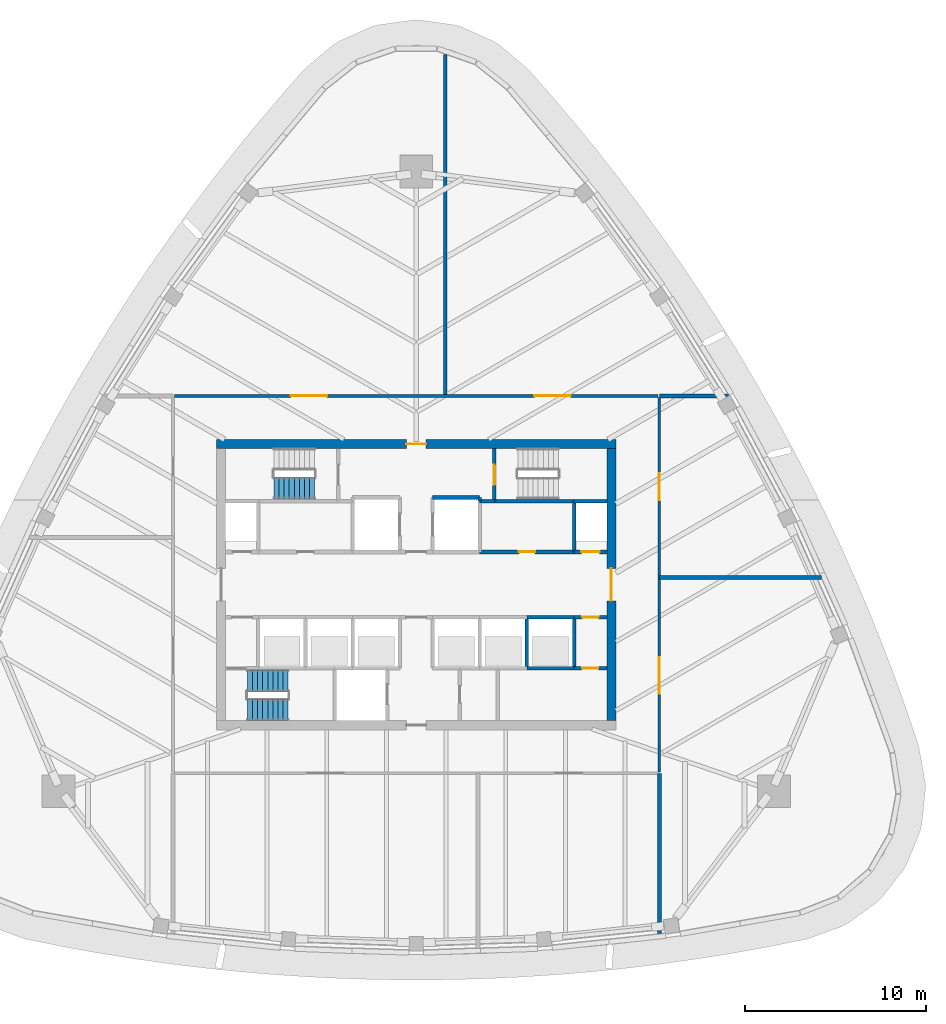
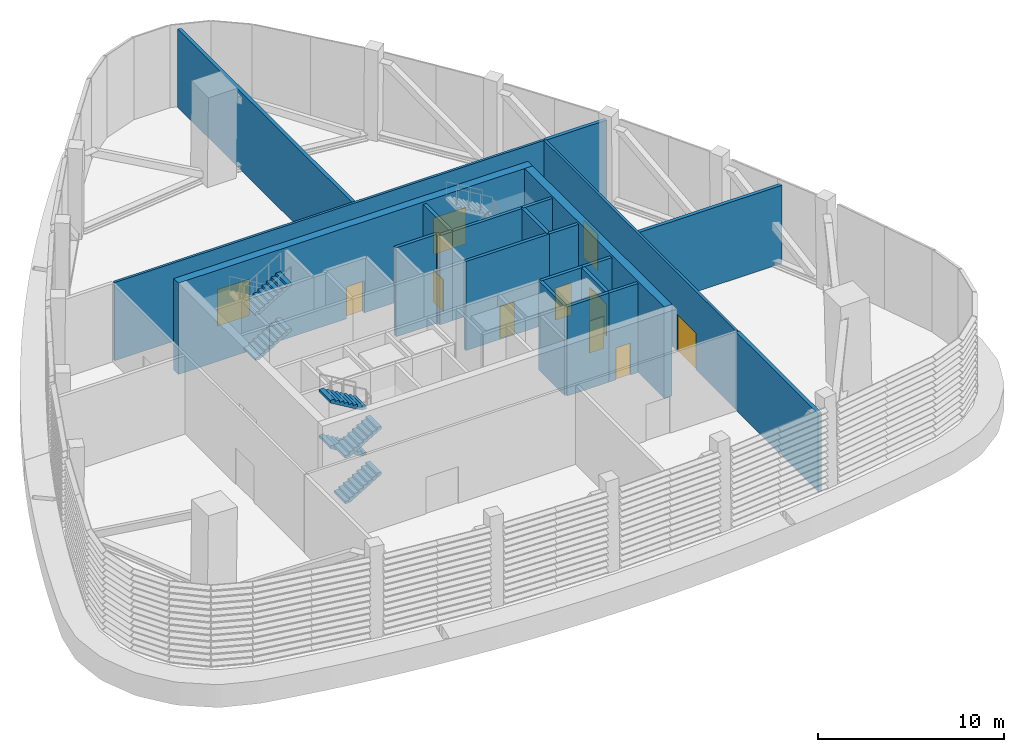
# One storey, part 5 of 15: 23 walls, 11 doors, 6 stair flights, 11 openings, 2 elements without a shape of their own.
"""IFC4 building model written with IfcOpenShell, lengths in metres."""

from ifc_helpers import new_model, si_unit, direction, frame, frame_2d, origin, place, context, subcontext, project, spatial, polyline, rectangle, outline, extrude, material, layer, layer_set, type_object, element, fill, aggregate, save


model = new_model("IFC4")

# Units and contexts
model_context = context("Model", 3, precision=1e-05, world=origin(), true_north=direction((0.0, 1.0)))
body_context = subcontext(model_context, "Body", "Model", "MODEL_VIEW")
ifc_project = project(units=[si_unit("LENGTHUNIT", "METRE"), si_unit("AREAUNIT", "SQUARE_METRE"), si_unit("VOLUMEUNIT", "CUBIC_METRE"), si_unit("PLANEANGLEUNIT", "RADIAN"), si_unit("MASSUNIT", "GRAM", prefix="KILO")], contexts=[model_context])

# Site, building, storey
site_placement = place(None, origin())
site = spatial("IfcSite", under=ifc_project, at=site_placement, CompositionType="ELEMENT")
building_placement = place(site_placement, origin())
building = spatial("IfcBuilding", under=site, at=building_placement, Name="Sierra Prisma Convention Tower", CompositionType="ELEMENT")
storey_placement = place(building_placement, frame((0.0, 0.0, 324.39990234375)))
storey = spatial("IfcBuildingStorey", under=building, at=storey_placement, Name="L74", CompositionType="ELEMENT", Elevation=324.39990234375)

# Walls
ifc_material_1 = material(Name="Concrete C30/37", Category="concrete")
ifc_layer_1 = layer(ifc_material_1, 0.199951171875)
ifc_layer_set_1 = layer_set([ifc_layer_1], Name="Core wall RC 200 C30/37")
wall_type_1 = type_object("IfcWallType", Name="Core wall RC 200 C30/37", PredefinedType="SOLIDWALL", material=ifc_layer_set_1)
wall_1_placement = place(storey_placement, frame((3.5, 4.60009765625, 0.0), z_axis=(0.0, 0.0, 1.0), x_axis=(0.0, 1.0, 0.0)))
element("IfcWall", 1, at=wall_1_placement, inside=storey, type_object=wall_type_1, Name="Core wall L74 35", PredefinedType="SOLIDWALL", context=body_context, shape_type="SweptSolid", body=[
    extrude(rectangle(XDim=0.199951171875, YDim=0.199951171875, at=frame_2d((0.10009765625, 0.0))), origin(), (0.0, 0.0, 1.0), 5.85009765625),
])
wall_2_placement = place(storey_placement, frame((3.5, 4.800048828125, 0.0), z_axis=(0.0, 0.0, 1.0), x_axis=(-1.0, 0.0, 0.0)))
element("IfcWall", 2, at=wall_2_placement, inside=storey, type_object=wall_type_1, Name="Core wall L74 36", PredefinedType="SOLIDWALL", context=body_context, shape_type="SweptSolid", body=[
    extrude(rectangle(XDim=2.60009765625, YDim=0.199951171875, at=frame_2d((1.300048828125, 0.0))), origin(), (0.0, 0.0, 1.0), 5.85009765625),
])

# Wall, opening, door
wall_3_placement = place(storey_placement, frame((3.5, 1.800048828125, 0.0), z_axis=(0.0, 0.0, 1.0), x_axis=(1.0, 0.0, 0.0)))
wall_3 = element("IfcWall", 3, at=wall_3_placement, inside=storey, type_object=wall_type_1, Name="Core wall L74 43", PredefinedType="SOLIDWALL", context=body_context, shape_type="SweptSolid", body=[
    extrude(rectangle(XDim=5.199951171875, YDim=0.199951171875, at=frame_2d((2.60009765625, 0.0))), origin(), (0.0, 0.0, 1.0), 5.85009765625),
])
opening_1_placement = place(wall_3_placement, frame((2.14990234375, 0.0, 0.0)))
opening_1 = element("IfcOpeningElement", 4, at=opening_1_placement, cuts=wall_3, Name="Opening L74-D012", PredefinedType="OPENING", context=body_context, shape_type="SweptSolid", body=[
    extrude(rectangle(XDim=0.89990234375, YDim=2.10009765625, at=frame_2d((0.449951171875, 1.050048828125))), frame((0.0, 0.10009765625, 0.0), z_axis=(0.0, -1.0, 0.0), x_axis=(1.0, 0.0, 0.0)), (0.0, 0.0, 1.0), 0.199951171875),
])
ifc_material_2 = material(Name="Steel fire door leaf", Category="steel")
door_type_1 = type_object("IfcDoorType", Name="Door 900x2100 FD30S", OperationType="SINGLE_SWING_LEFT", PredefinedType="DOOR", material=ifc_material_2)
door_1_placement = place(opening_1_placement, origin())
door_1 = element("IfcDoor", 5, at=door_1_placement, inside=storey, type_object=door_type_1, Name="Door L74 20", OperationType="SINGLE_SWING_LEFT", OverallHeight=2.10009765625, OverallWidth=0.89990234375, PredefinedType="DOOR", context=body_context, shape_type="SweptSolid", body=[
    extrude(rectangle(XDim=0.89990234375, YDim=2.10009765625, at=frame_2d((0.449951171875, 1.050048828125))), frame((0.0, 0.02490234375, 0.0), z_axis=(0.0, -1.0, 0.0), x_axis=(1.0, 0.0, 0.0)), (0.0, 0.0, 1.0), 0.050048828125),
])
fill(opening_1, door_1)

# Walls
wall_4_placement = place(storey_placement, frame((4.300048828125, 4.60009765625, 0.0), z_axis=(0.0, 0.0, 1.0), x_axis=(-1.0, 0.0, 0.0)))
element("IfcWall", 6, at=wall_4_placement, inside=storey, type_object=wall_type_1, Name="Core wall L74 45", PredefinedType="SOLIDWALL", context=body_context, shape_type="SweptSolid", body=[
    extrude(rectangle(XDim=0.800048828125, YDim=0.199951171875, at=frame_2d((0.39990234375, 0.0))), origin(), (0.0, 0.0, 1.0), 5.85009765625),
])
wall_5_placement = place(storey_placement, frame((8.699951171875, 4.60009765625, 0.0), z_axis=(0.0, 0.0, 1.0), x_axis=(-1.0, 0.0, 0.0)))
element("IfcWall", 7, at=wall_5_placement, inside=storey, type_object=wall_type_1, Name="Core wall L74 46", PredefinedType="SOLIDWALL", context=body_context, shape_type="SweptSolid", body=[
    extrude(rectangle(XDim=4.39990234375, YDim=0.199951171875, at=frame_2d((2.199951171875, 0.0))), origin(), (0.0, 0.0, 1.0), 5.85009765625),
])

# Wall, opening, door
wall_6_placement = place(storey_placement, frame((4.300048828125, 7.5, 0.0), z_axis=(0.0, 0.0, 1.0), x_axis=(0.0, -1.0, 0.0)))
wall_6 = element("IfcWall", 8, at=wall_6_placement, inside=storey, type_object=wall_type_1, Name="Core wall L74 47", PredefinedType="SOLIDWALL", context=body_context, shape_type="SweptSolid", body=[
    extrude(rectangle(XDim=2.89990234375, YDim=0.199951171875, at=frame_2d((1.449951171875, 0.0))), origin(), (0.0, 0.0, 1.0), 5.85009765625),
])
opening_2_placement = place(wall_6_placement, frame((0.89990234375, 0.0, 0.0)))
opening_2 = element("IfcOpeningElement", 9, at=opening_2_placement, cuts=wall_6, Name="Opening L74-D011", PredefinedType="OPENING", context=body_context, shape_type="SweptSolid", body=[
    extrude(rectangle(XDim=1.10009765625, YDim=2.10009765625, at=frame_2d((0.550048828125, 1.050048828125))), frame((0.0, 0.10009765625, 0.0), z_axis=(0.0, -1.0, 0.0), x_axis=(1.0, 0.0, 0.0)), (0.0, 0.0, 1.0), 0.199951171875),
])
ifc_material_3 = material(Name="Steel fire door leaf", Category="steel")
door_type_2 = type_object("IfcDoorType", Name="Door 1100x2100 FD90S", OperationType="SINGLE_SWING_LEFT", PredefinedType="DOOR", material=ifc_material_3)
door_2_placement = place(opening_2_placement, origin())
door_2 = element("IfcDoor", 10, at=door_2_placement, inside=storey, type_object=door_type_2, Name="Door L74 19", OperationType="SINGLE_SWING_RIGHT", OverallHeight=2.10009765625, OverallWidth=1.10009765625, PredefinedType="DOOR", context=body_context, shape_type="SweptSolid", body=[
    extrude(rectangle(XDim=1.10009765625, YDim=2.10009765625, at=frame_2d((0.550048828125, 1.050048828125))), frame((0.0, 0.02490234375, 0.0), z_axis=(0.0, -1.0, 0.0), x_axis=(1.0, 0.0, 0.0)), (0.0, 0.0, 1.0), 0.050048828125),
])
fill(opening_2, door_2)

# Walls
wall_7_placement = place(storey_placement, frame((8.699951171875, -4.60009765625, 0.0), z_axis=(0.0, 0.0, 1.0), x_axis=(-1.0, 0.0, 0.0)))
element("IfcWall", 11, at=wall_7_placement, inside=storey, type_object=wall_type_1, Name="Core wall L74 50", PredefinedType="SOLIDWALL", context=body_context, shape_type="SweptSolid", body=[
    extrude(rectangle(XDim=2.599853515625, YDim=0.199951171875, at=frame_2d((1.2998046875, 0.0))), origin(), (0.0, 0.0, 1.0), 5.85009765625),
])
wall_8_placement = place(storey_placement, frame((6.10009765625, -4.60009765625, 0.0), z_axis=(0.0, 0.0, 1.0), x_axis=(0.0, 1.0, 0.0)))
element("IfcWall", 12, at=wall_8_placement, inside=storey, type_object=wall_type_1, Name="Core wall L74 51", PredefinedType="SOLIDWALL", context=body_context, shape_type="SweptSolid", body=[
    extrude(rectangle(XDim=2.800048828125, YDim=0.199951171875, at=frame_2d((1.39990234375, 0.0))), origin(), (0.0, 0.0, 1.0), 5.85009765625),
])
wall_9_placement = place(storey_placement, frame((6.10009765625, -1.800048828125, 0.0), z_axis=(0.0, 0.0, 1.0), x_axis=(1.0, 0.0, 0.0)))
element("IfcWall", 13, at=wall_9_placement, inside=storey, type_object=wall_type_1, Name="Core wall L74 52", PredefinedType="SOLIDWALL", context=body_context, shape_type="SweptSolid", body=[
    extrude(rectangle(XDim=2.599853515625, YDim=0.199951171875, at=frame_2d((1.2998046875, 0.0))), origin(), (0.0, 0.0, 1.0), 5.85009765625),
])

# Wall, opening, door
wall_10_placement = place(storey_placement, frame((10.5, -4.60009765625, 0.0), z_axis=(0.0, 0.0, 1.0), x_axis=(-1.0, 0.0, 0.0)))
wall_10 = element("IfcWall", 14, at=wall_10_placement, inside=storey, type_object=wall_type_1, Name="Core wall L74 53", PredefinedType="SOLIDWALL", context=body_context, shape_type="SweptSolid", body=[
    extrude(rectangle(XDim=1.800048828125, YDim=0.199951171875, at=frame_2d((0.89990234375, 0.0))), origin(), (0.0, 0.0, 1.0), 5.85009765625),
])
opening_3_placement = place(wall_10_placement, frame((0.4599609375, 0.0, 0.0)))
opening_3 = element("IfcOpeningElement", 15, at=opening_3_placement, cuts=wall_10, Name="Opening L74-D014", PredefinedType="OPENING", context=body_context, shape_type="SweptSolid", body=[
    extrude(rectangle(XDim=0.89990234375, YDim=2.10009765625, at=frame_2d((0.449951171875, 1.050048828125))), frame((0.0, 0.10009765625, 0.0), z_axis=(0.0, -1.0, 0.0), x_axis=(1.0, 0.0, 0.0)), (0.0, 0.0, 1.0), 0.199951171875),
])
door_3_placement = place(opening_3_placement, origin())
door_3 = element("IfcDoor", 16, at=door_3_placement, inside=storey, type_object=door_type_1, Name="Door L74 22", OperationType="SINGLE_SWING_LEFT", OverallHeight=2.10009765625, OverallWidth=0.89990234375, PredefinedType="DOOR", context=body_context, shape_type="SweptSolid", body=[
    extrude(rectangle(XDim=0.89990234375, YDim=2.10009765625, at=frame_2d((0.449951171875, 1.050048828125))), frame((0.0, 0.02490234375, 0.0), z_axis=(0.0, -1.0, 0.0), x_axis=(1.0, 0.0, 0.0)), (0.0, 0.0, 1.0), 0.050048828125),
])
fill(opening_3, door_3)

# Wall
wall_11_placement = place(storey_placement, frame((8.699951171875, -1.800048828125, 0.0), z_axis=(0.0, 0.0, 1.0), x_axis=(0.0, -1.0, 0.0)))
element("IfcWall", 17, at=wall_11_placement, inside=storey, type_object=wall_type_1, Name="Core wall L74 54", PredefinedType="SOLIDWALL", context=body_context, shape_type="SweptSolid", body=[
    extrude(rectangle(XDim=2.800048828125, YDim=0.199951171875, at=frame_2d((1.39990234375, 0.0))), origin(), (0.0, 0.0, 1.0), 5.85009765625),
])

# Wall, opening, door
wall_12_placement = place(storey_placement, frame((8.699951171875, -1.800048828125, 0.0), z_axis=(0.0, 0.0, 1.0), x_axis=(1.0, 0.0, 0.0)))
wall_12 = element("IfcWall", 18, at=wall_12_placement, inside=storey, type_object=wall_type_1, Name="Core wall L74 55", PredefinedType="SOLIDWALL", context=body_context, shape_type="SweptSolid", body=[
    extrude(rectangle(XDim=1.800048828125, YDim=0.199951171875, at=frame_2d((0.89990234375, 0.0))), origin(), (0.0, 0.0, 1.0), 5.85009765625),
])
opening_4_placement = place(wall_12_placement, frame((0.449951171875, 0.0, 0.0)))
opening_4 = element("IfcOpeningElement", 19, at=opening_4_placement, cuts=wall_12, Name="Opening L74-D015", PredefinedType="OPENING", context=body_context, shape_type="SweptSolid", body=[
    extrude(rectangle(XDim=0.89990234375, YDim=2.10009765625, at=frame_2d((0.449951171875, 1.050048828125))), frame((0.0, 0.10009765625, 0.0), z_axis=(0.0, -1.0, 0.0), x_axis=(1.0, 0.0, 0.0)), (0.0, 0.0, 1.0), 0.199951171875),
])
door_4_placement = place(opening_4_placement, origin())
door_4 = element("IfcDoor", 20, at=door_4_placement, inside=storey, type_object=door_type_1, Name="Door L74 23", OperationType="SINGLE_SWING_LEFT", OverallHeight=2.10009765625, OverallWidth=0.89990234375, PredefinedType="DOOR", context=body_context, shape_type="SweptSolid", body=[
    extrude(rectangle(XDim=0.89990234375, YDim=2.10009765625, at=frame_2d((0.449951171875, 1.050048828125))), frame((0.0, 0.02490234375, 0.0), z_axis=(0.0, -1.0, 0.0), x_axis=(1.0, 0.0, 0.0)), (0.0, 0.0, 1.0), 0.050048828125),
])
fill(opening_4, door_4)

wall_13_placement = place(storey_placement, frame((10.5, 1.800048828125, 0.0), z_axis=(0.0, 0.0, 1.0), x_axis=(-1.0, 0.0, 0.0)))
wall_13 = element("IfcWall", 21, at=wall_13_placement, inside=storey, type_object=wall_type_1, Name="Core wall L74 56", PredefinedType="SOLIDWALL", context=body_context, shape_type="SweptSolid", body=[
    extrude(rectangle(XDim=1.800048828125, YDim=0.199951171875, at=frame_2d((0.89990234375, 0.0))), origin(), (0.0, 0.0, 1.0), 5.85009765625),
])
opening_5_placement = place(wall_13_placement, frame((0.39990234375, 0.0, 0.0)))
opening_5 = element("IfcOpeningElement", 22, at=opening_5_placement, cuts=wall_13, Name="Opening L74-D008", PredefinedType="OPENING", context=body_context, shape_type="SweptSolid", body=[
    extrude(rectangle(XDim=1.0, YDim=2.10009765625, at=frame_2d((0.5, 1.050048828125))), frame((0.0, 0.10009765625, 0.0), z_axis=(0.0, -1.0, 0.0), x_axis=(1.0, 0.0, 0.0)), (0.0, 0.0, 1.0), 0.199951171875),
])
ifc_material_4 = material(Name="Steel fire door leaf", Category="steel")
door_type_3 = type_object("IfcDoorType", Name="Door 1000x2100 FD60S", OperationType="SINGLE_SWING_LEFT", PredefinedType="DOOR", material=ifc_material_4)
door_5_placement = place(opening_5_placement, origin())
door_5 = element("IfcDoor", 23, at=door_5_placement, inside=storey, type_object=door_type_3, Name="Door L74 16", OperationType="SINGLE_SWING_LEFT", OverallHeight=2.10009765625, OverallWidth=1.0, PredefinedType="DOOR", context=body_context, shape_type="SweptSolid", body=[
    extrude(rectangle(XDim=1.0, YDim=2.10009765625, at=frame_2d((0.5, 1.050048828125))), frame((0.0, 0.02490234375, 0.0), z_axis=(0.0, -1.0, 0.0), x_axis=(1.0, 0.0, 0.0)), (0.0, 0.0, 1.0), 0.050048828125),
])
fill(opening_5, door_5)

# Walls
wall_14_placement = place(storey_placement, frame((8.699951171875, 1.800048828125, 0.0), z_axis=(0.0, 0.0, 1.0), x_axis=(0.0, 1.0, 0.0)))
element("IfcWall", 24, at=wall_14_placement, inside=storey, type_object=wall_type_1, Name="Core wall L74 57", PredefinedType="SOLIDWALL", context=body_context, shape_type="SweptSolid", body=[
    extrude(rectangle(XDim=2.800048828125, YDim=0.199951171875, at=frame_2d((1.39990234375, 0.0))), origin(), (0.0, 0.0, 1.0), 5.85009765625),
])
wall_15_placement = place(storey_placement, frame((10.5, 4.60009765625, 0.0), z_axis=(0.0, 0.0, 1.0), x_axis=(-1.0, 0.0, 0.0)))
element("IfcWall", 25, at=wall_15_placement, inside=storey, type_object=wall_type_1, Name="Core wall L74 58", PredefinedType="SOLIDWALL", context=body_context, shape_type="SweptSolid", body=[
    extrude(rectangle(XDim=1.800048828125, YDim=0.199951171875, at=frame_2d((0.89990234375, 0.0))), origin(), (0.0, 0.0, 1.0), 5.85009765625),
])

# Wall, opening, door
ifc_material_5 = material(Name="Concrete C50/60", Category="concrete")
ifc_layer_2 = layer(ifc_material_5, 0.5)
ifc_layer_set_2 = layer_set([ifc_layer_2], Name="Core wall RC 500 C50/60")
wall_type_2 = type_object("IfcWallType", Name="Core wall RC 500 C50/60", PredefinedType="SHEAR", material=ifc_layer_set_2)
wall_16_placement = place(storey_placement, frame((-11.0, 7.75, 0.0), z_axis=(0.0, 0.0, 1.0), x_axis=(1.0, 0.0, 0.0)))
wall_16 = element("IfcWall", 26, at=wall_16_placement, inside=storey, type_object=wall_type_2, Name="Core wall N L74", PredefinedType="SHEAR", context=body_context, shape_type="SweptSolid", body=[
    extrude(rectangle(XDim=22.0, YDim=0.5, at=frame_2d((11.0, 0.0))), origin(), (0.0, 0.0, 1.0), 6.0),
])
opening_6_placement = place(wall_16_placement, frame((10.449951171875, 0.0, 0.0)))
opening_6 = element("IfcOpeningElement", 27, at=opening_6_placement, cuts=wall_16, Name="Opening L74-D026", PredefinedType="OPENING", context=body_context, shape_type="SweptSolid", body=[
    extrude(rectangle(XDim=1.10009765625, YDim=2.10009765625, at=frame_2d((0.550048828125, 1.050048828125))), frame((0.0, 0.25, 0.0), z_axis=(0.0, -1.0, 0.0), x_axis=(1.0, 0.0, 0.0)), (0.0, 0.0, 1.0), 0.5),
])
ifc_material_6 = material(Name="Steel fire door leaf", Category="steel")
door_type_4 = type_object("IfcDoorType", Name="Door 1100x2100 FD60S", OperationType="SINGLE_SWING_LEFT", PredefinedType="DOOR", material=ifc_material_6)
door_6_placement = place(opening_6_placement, origin())
door_6 = element("IfcDoor", 28, at=door_6_placement, inside=storey, type_object=door_type_4, Name="Door L74 27", OperationType="SINGLE_SWING_LEFT", OverallHeight=2.10009765625, OverallWidth=1.10009765625, PredefinedType="DOOR", context=body_context, shape_type="SweptSolid", body=[
    extrude(rectangle(XDim=1.10009765625, YDim=2.10009765625, at=frame_2d((0.550048828125, 1.050048828125))), frame((0.0, 0.02490234375, 0.0), z_axis=(0.0, -1.0, 0.0), x_axis=(1.0, 0.0, 0.0)), (0.0, 0.0, 1.0), 0.050048828125),
])
fill(opening_6, door_6)

wall_17_placement = place(storey_placement, frame((10.75, -7.5, 0.0), z_axis=(0.0, 0.0, 1.0), x_axis=(0.0, 1.0, 0.0)))
wall_17 = element("IfcWall", 29, at=wall_17_placement, inside=storey, type_object=wall_type_2, Name="Core wall E L74", PredefinedType="SHEAR", context=body_context, shape_type="SweptSolid", body=[
    extrude(rectangle(XDim=15.0, YDim=0.5, at=frame_2d((7.5, 0.0))), origin(), (0.0, 0.0, 1.0), 6.0),
])
opening_7_placement = place(wall_17_placement, frame((6.60009765625, 0.0, 0.0)))
opening_7 = element("IfcOpeningElement", 30, at=opening_7_placement, cuts=wall_17, Name="Opening L74-D025", PredefinedType="OPENING", context=body_context, shape_type="SweptSolid", body=[
    extrude(rectangle(XDim=1.800048828125, YDim=2.10009765625, at=frame_2d((0.89990234375, 1.050048828125))), frame((0.0, 0.25, 0.0), z_axis=(0.0, -1.0, 0.0), x_axis=(1.0, 0.0, 0.0)), (0.0, 0.0, 1.0), 0.5),
])
ifc_material_7 = material(Name="Steel fire door leaf", Category="steel")
door_type_5 = type_object("IfcDoorType", Name="Door 1800x2100 FD60S", OperationType="DOUBLE_DOOR_SINGLE_SWING", PredefinedType="DOOR", material=ifc_material_7)
door_7_placement = place(opening_7_placement, origin())
door_7 = element("IfcDoor", 31, at=door_7_placement, inside=storey, type_object=door_type_5, Name="Door L74 26", OperationType="DOUBLE_DOOR_SINGLE_SWING", OverallHeight=2.10009765625, OverallWidth=1.800048828125, PredefinedType="DOOR", context=body_context, shape_type="SweptSolid", body=[
    extrude(rectangle(XDim=1.800048828125, YDim=2.10009765625, at=frame_2d((0.89990234375, 1.050048828125))), frame((0.0, 0.02490234375, 0.0), z_axis=(0.0, -1.0, 0.0), x_axis=(1.0, 0.0, 0.0)), (0.0, 0.0, 1.0), 0.050048828125),
])
fill(opening_7, door_7)

# Wall, openings, doors
ifc_material_8 = material(Name="Gypsum board partition", Category="gypsum")
ifc_layer_3 = layer(ifc_material_8, 0.14990234375)
ifc_layer_set_3 = layer_set([ifc_layer_3], Name="Corridor wall 150 gypsum EI 60")
wall_type_3 = type_object("IfcWallType", Name="Corridor wall 150 gypsum EI 60", PredefinedType="PARTITIONING", material=ifc_layer_set_3)
wall_18_placement = place(storey_placement, frame((13.320068359375, 10.39990234375, 0.0), z_axis=(0.0, 0.0, 1.0), x_axis=(-1.0, 0.0, 0.0)))
wall_18 = element("IfcWall", 32, at=wall_18_placement, inside=storey, type_object=wall_type_3, Name="Partition L74 corr 3", PredefinedType="PARTITIONING", context=body_context, shape_type="SweptSolid", body=[
    extrude(rectangle(XDim=26.64013671875, YDim=0.14990234375, at=frame_2d((13.320068359375, 0.0))), origin(), (0.0, 0.0, 1.0), 5.13818359375),
])
opening_8_placement = place(wall_18_placement, frame((4.81005859375, 0.0, 0.0)))
opening_8 = element("IfcOpeningElement", 33, at=opening_8_placement, cuts=wall_18, Name="Opening L74-D018", PredefinedType="OPENING", context=body_context, shape_type="SweptSolid", body=[
    extrude(rectangle(XDim=2.0, YDim=2.39990234375, at=frame_2d((1.0, 1.199951171875))), frame((0.0, 0.074951171875, 0.0), z_axis=(0.0, -1.0, 0.0), x_axis=(1.0, 0.0, 0.0)), (0.0, 0.0, 1.0), 0.14990234375),
])
opening_9_placement = place(wall_18_placement, frame((18.22998046875, 0.0, 0.0)))
opening_9 = element("IfcOpeningElement", 34, at=opening_9_placement, cuts=wall_18, Name="Opening L74-D019", PredefinedType="OPENING", context=body_context, shape_type="SweptSolid", body=[
    extrude(rectangle(XDim=2.0, YDim=2.39990234375, at=frame_2d((1.0, 1.199951171875))), frame((0.0, 0.074951171875, 0.0), z_axis=(0.0, -1.0, 0.0), x_axis=(1.0, 0.0, 0.0)), (0.0, 0.0, 1.0), 0.14990234375),
])
ifc_material_9 = material(Name="Steel fire door leaf", Category="steel")
door_type_6 = type_object("IfcDoorType", Name="Door 2000x2400 FD60S", OperationType="DOUBLE_DOOR_SINGLE_SWING", PredefinedType="DOOR", material=ifc_material_9)
door_8_placement = place(opening_8_placement, origin())
door_8 = element("IfcDoor", 35, at=door_8_placement, inside=storey, type_object=door_type_6, Name="Door L74 2", OperationType="DOUBLE_DOOR_SINGLE_SWING", OverallHeight=2.39990234375, OverallWidth=2.0, PredefinedType="DOOR", context=body_context, shape_type="SweptSolid", body=[
    extrude(rectangle(XDim=2.0, YDim=2.39990234375, at=frame_2d((1.0, 1.199951171875))), frame((0.0, 0.02490234375, 0.0), z_axis=(0.0, -1.0, 0.0), x_axis=(1.0, 0.0, 0.0)), (0.0, 0.0, 1.0), 0.050048828125),
])
fill(opening_8, door_8)
door_9_placement = place(opening_9_placement, origin())
door_9 = element("IfcDoor", 36, at=door_9_placement, inside=storey, type_object=door_type_6, Name="Door L74 3", OperationType="DOUBLE_DOOR_SINGLE_SWING", OverallHeight=2.39990234375, OverallWidth=2.0, PredefinedType="DOOR", context=body_context, shape_type="SweptSolid", body=[
    extrude(rectangle(XDim=2.0, YDim=2.39990234375, at=frame_2d((1.0, 1.199951171875))), frame((0.0, 0.02490234375, 0.0), z_axis=(0.0, -1.0, 0.0), x_axis=(1.0, 0.0, 0.0)), (0.0, 0.0, 1.0), 0.050048828125),
])
fill(opening_9, door_9)

wall_19_placement = place(storey_placement, frame((13.39990234375, -10.320068359375, 0.0), z_axis=(0.0, 0.0, 1.0), x_axis=(0.0, 1.0, 0.0)))
wall_19 = element("IfcWall", 37, at=wall_19_placement, inside=storey, type_object=wall_type_3, Name="Partition L74 corr 4", PredefinedType="PARTITIONING", context=body_context, shape_type="SweptSolid", body=[
    extrude(rectangle(XDim=20.64013671875, YDim=0.14990234375, at=frame_2d((10.320068359375, 0.0))), origin(), (0.0, 0.0, 1.0), 5.13818359375),
])
opening_10_placement = place(wall_19_placement, frame((14.969970703125, 0.0, 0.0)))
opening_10 = element("IfcOpeningElement", 38, at=opening_10_placement, cuts=wall_19, Name="Opening L74-D017", PredefinedType="OPENING", context=body_context, shape_type="SweptSolid", body=[
    extrude(rectangle(XDim=1.5, YDim=2.39990234375, at=frame_2d((0.75, 1.199951171875))), frame((0.0, 0.074951171875, 0.0), z_axis=(0.0, -1.0, 0.0), x_axis=(1.0, 0.0, 0.0)), (0.0, 0.0, 1.0), 0.14990234375),
])
opening_11_placement = place(wall_19_placement, frame((4.31005859375, 0.0, 0.0)))
opening_11 = element("IfcOpeningElement", 39, at=opening_11_placement, cuts=wall_19, Name="Opening L74-D024", PredefinedType="OPENING", context=body_context, shape_type="SweptSolid", body=[
    extrude(rectangle(XDim=2.0, YDim=2.39990234375, at=frame_2d((1.0, 1.199951171875))), frame((0.0, 0.074951171875, 0.0), z_axis=(0.0, -1.0, 0.0), x_axis=(1.0, 0.0, 0.0)), (0.0, 0.0, 1.0), 0.14990234375),
])
ifc_material_10 = material(Name="Steel fire door leaf", Category="steel")
door_type_7 = type_object("IfcDoorType", Name="Door 1500x2400 FD60S", OperationType="DOUBLE_DOOR_SINGLE_SWING", PredefinedType="DOOR", material=ifc_material_10)
door_10_placement = place(opening_10_placement, origin())
door_10 = element("IfcDoor", 40, at=door_10_placement, inside=storey, type_object=door_type_7, Name="Door L74 1", OperationType="DOUBLE_DOOR_SINGLE_SWING", OverallHeight=2.39990234375, OverallWidth=1.5, PredefinedType="DOOR", context=body_context, shape_type="SweptSolid", body=[
    extrude(rectangle(XDim=1.5, YDim=2.39990234375, at=frame_2d((0.75, 1.199951171875))), frame((0.0, 0.02490234375, 0.0), z_axis=(0.0, -1.0, 0.0), x_axis=(1.0, 0.0, 0.0)), (0.0, 0.0, 1.0), 0.050048828125),
])
fill(opening_10, door_10)
door_11_placement = place(opening_11_placement, origin())
door_11 = element("IfcDoor", 41, at=door_11_placement, inside=storey, type_object=door_type_6, Name="Door L74 8", OperationType="DOUBLE_DOOR_SINGLE_SWING", OverallHeight=2.39990234375, OverallWidth=2.0, PredefinedType="DOOR", context=body_context, shape_type="SweptSolid", body=[
    extrude(rectangle(XDim=2.0, YDim=2.39990234375, at=frame_2d((1.0, 1.199951171875))), frame((0.0, 0.02490234375, 0.0), z_axis=(0.0, -1.0, 0.0), x_axis=(1.0, 0.0, 0.0)), (0.0, 0.0, 1.0), 0.050048828125),
])
fill(opening_11, door_11)

# Walls
ifc_material_11 = material(Name="Hollow clay block masonry", Category="masonry")
ifc_layer_4 = layer(ifc_material_11, 0.215087890625)
ifc_layer_set_4 = layer_set([ifc_layer_4], Name="Plant room wall 215 blockwork EI 120")
wall_type_4 = type_object("IfcWallType", Name="Plant room wall 215 blockwork EI 120", PredefinedType="PARTITIONING", material=ifc_layer_set_4)
wall_20_placement = place(storey_placement, frame((1.60009765625, 10.39990234375, 0.0), z_axis=(0.0, 0.0, 1.0), x_axis=(0.0, 1.0, 0.0)))
element("IfcWall", 42, at=wall_20_placement, inside=storey, type_object=wall_type_4, Name="Partition L74 plant 4", PredefinedType="PARTITIONING", context=body_context, shape_type="SweptSolid", body=[
    extrude(rectangle(XDim=18.822998046875, YDim=0.215087890625, at=frame_2d((9.41162109375, 0.0))), origin(), (0.0, 0.0, 1.0), 5.133056640625),
])
wall_21_placement = place(storey_placement, frame((13.39990234375, -10.39990234375, 0.0), z_axis=(0.0, 0.0, 1.0), x_axis=(0.0, -1.0, 0.0)))
element("IfcWall", 43, at=wall_21_placement, inside=storey, type_object=wall_type_4, Name="Partition L74 plant 6", PredefinedType="PARTITIONING", context=body_context, shape_type="SweptSolid", body=[
    extrude(rectangle(XDim=8.830810546875, YDim=0.215087890625, at=frame_2d((4.41552734375, 0.0))), origin(), (0.0, 0.0, 1.0), 5.133056640625),
])
wall_22_placement = place(storey_placement, frame((22.32568359375, 0.39990234375, 0.0), z_axis=(0.0, 0.0, 1.0), x_axis=(-1.0, 0.0, 0.0)))
element("IfcWall", 44, at=wall_22_placement, inside=storey, type_object=wall_type_4, Name="Partition L74 plant 7", PredefinedType="PARTITIONING", context=body_context, shape_type="SweptSolid", body=[
    extrude(rectangle(XDim=8.92578125, YDim=0.215087890625, at=frame_2d((4.462890625, 0.0))), origin(), (0.0, 0.0, 1.0), 5.133056640625),
])
wall_23_placement = place(storey_placement, frame((13.39990234375, 10.39990234375, 0.0), z_axis=(0.0, 0.0, 1.0), x_axis=(1.0, 0.0, 0.0)))
element("IfcWall", 45, at=wall_23_placement, inside=storey, type_object=wall_type_4, Name="Partition L74 plant 8", PredefinedType="PARTITIONING", context=body_context, shape_type="SweptSolid", body=[
    extrude(rectangle(XDim=3.81396484375, YDim=0.215087890625, at=frame_2d((1.906982421875, 0.0))), origin(), (0.0, 0.0, 1.0), 5.133056640625),
])

# Stair, stair flights
ifc_material_12 = material(Name="Concrete C30/37", Category="concrete")
stair_type = type_object("IfcStairType", Name="Stair dog-leg 1200 RC", PredefinedType="HALF_TURN_STAIR", material=ifc_material_12)
stair_1_placement = place(storey_placement, origin())
stair_1 = element("IfcStair", 46, at=stair_1_placement, inside=storey, type_object=stair_type, Name="L74 S1", PredefinedType="HALF_TURN_STAIR")
ifc_material_13 = material(Name="Concrete C30/37", Category="concrete")
stair_flight_type = type_object("IfcStairFlightType", Name="Stair flight RC 1200", PredefinedType="STRAIGHT", material=ifc_material_13)
stair_flight_1_placement = place(storey_placement, frame((-9.300048828125, -6.89990234375, 0.0), z_axis=(0.0, 0.0, 1.0), x_axis=(1.0, 0.0, 0.0)))
stair_flight_1 = element("IfcStairFlight", 47, at=stair_flight_1_placement, type_object=stair_flight_type, Name="S1 flight 1", NumberOfRisers=9, NumberOfTreads=8, PredefinedType="STRAIGHT", RiserHeight=0.166666667, TreadLength=0.28, context=body_context, shape_type="SweptSolid", body=[
    extrude(outline(polyline([(0.0, 0.0), (0.0, 0.166748046875), (0.280029296875, 0.166748046875), (0.280029296875, 0.333251953125), (0.56005859375, 0.333251953125), (0.56005859375, 0.5), (0.840087890625, 0.5), (0.840087890625, 0.666748046875), (1.1201171875, 0.666748046875), (1.1201171875, 0.833251953125), (1.39990234375, 0.833251953125), (1.39990234375, 1.0), (1.679931640625, 1.0), (1.679931640625, 1.166748046875), (1.9599609375, 1.166748046875), (1.9599609375, 1.333251953125), (2.239990234375, 1.333251953125), (2.239990234375, 1.5), (2.239990234375, 1.158935546875), (0.29296875, 0.0), (0.0, 0.0)])), frame((0.0, 0.60009765625, 0.0), z_axis=(0.0, -1.0, 0.0), x_axis=(1.0, 0.0, 0.0)), (0.0, 0.0, 1.0), 1.199951171875),
])
stair_flight_2_placement = place(storey_placement, frame((-7.06005859375, -5.300048828125, 1.5), z_axis=(0.0, 0.0, 1.0), x_axis=(-1.0, 0.0, 0.0)))
stair_flight_2 = element("IfcStairFlight", 48, at=stair_flight_2_placement, type_object=stair_flight_type, Name="S1 flight 2", NumberOfRisers=9, NumberOfTreads=8, PredefinedType="STRAIGHT", RiserHeight=0.166666667, TreadLength=0.28, context=body_context, shape_type="SweptSolid", body=[
    extrude(outline(polyline([(0.0, 0.0), (0.0, 0.166748046875), (0.280029296875, 0.166748046875), (0.280029296875, 0.333251953125), (0.56005859375, 0.333251953125), (0.56005859375, 0.5), (0.840087890625, 0.5), (0.840087890625, 0.666748046875), (1.1201171875, 0.666748046875), (1.1201171875, 0.833251953125), (1.39990234375, 0.833251953125), (1.39990234375, 1.0), (1.679931640625, 1.0), (1.679931640625, 1.166748046875), (1.9599609375, 1.166748046875), (1.9599609375, 1.333251953125), (2.239990234375, 1.333251953125), (2.239990234375, 1.5), (2.239990234375, 1.158935546875), (0.29296875, 0.0), (0.0, 0.0)])), frame((0.0, 0.60009765625, 0.0), z_axis=(0.0, -1.0, 0.0), x_axis=(1.0, 0.0, 0.0)), (0.0, 0.0, 1.0), 1.199951171875),
])
stair_flight_3_placement = place(storey_placement, frame((-9.300048828125, -6.89990234375, 3.0), z_axis=(0.0, 0.0, 1.0), x_axis=(1.0, 0.0, 0.0)))
stair_flight_3 = element("IfcStairFlight", 49, at=stair_flight_3_placement, type_object=stair_flight_type, Name="S1 flight 3", NumberOfRisers=9, NumberOfTreads=8, PredefinedType="STRAIGHT", RiserHeight=0.166666667, TreadLength=0.28, context=body_context, shape_type="SweptSolid", body=[
    extrude(outline(polyline([(0.0, 0.0), (0.0, 0.166748046875), (0.280029296875, 0.166748046875), (0.280029296875, 0.333251953125), (0.56005859375, 0.333251953125), (0.56005859375, 0.5), (0.840087890625, 0.5), (0.840087890625, 0.666748046875), (1.1201171875, 0.666748046875), (1.1201171875, 0.833251953125), (1.39990234375, 0.833251953125), (1.39990234375, 1.0), (1.679931640625, 1.0), (1.679931640625, 1.166748046875), (1.9599609375, 1.166748046875), (1.9599609375, 1.333251953125), (2.239990234375, 1.333251953125), (2.239990234375, 1.5), (2.239990234375, 1.158935546875), (0.29296875, 0.0), (0.0, 0.0)])), frame((0.0, 0.60009765625, 0.0), z_axis=(0.0, -1.0, 0.0), x_axis=(1.0, 0.0, 0.0)), (0.0, 0.0, 1.0), 1.199951171875),
])
stair_flight_4_placement = place(storey_placement, frame((-7.06005859375, -5.300048828125, 4.5), z_axis=(0.0, 0.0, 1.0), x_axis=(-1.0, 0.0, 0.0)))
stair_flight_4 = element("IfcStairFlight", 50, at=stair_flight_4_placement, type_object=stair_flight_type, Name="S1 flight 4", NumberOfRisers=9, NumberOfTreads=8, PredefinedType="STRAIGHT", RiserHeight=0.166666667, TreadLength=0.28, context=body_context, shape_type="SweptSolid", body=[
    extrude(outline(polyline([(0.0, 0.0), (0.0, 0.166748046875), (0.280029296875, 0.166748046875), (0.280029296875, 0.333251953125), (0.56005859375, 0.333251953125), (0.56005859375, 0.5), (0.840087890625, 0.5), (0.840087890625, 0.666748046875), (1.1201171875, 0.666748046875), (1.1201171875, 0.833251953125), (1.39990234375, 0.833251953125), (1.39990234375, 1.0), (1.679931640625, 1.0), (1.679931640625, 1.166748046875), (1.9599609375, 1.166748046875), (1.9599609375, 1.333251953125), (2.239990234375, 1.333251953125), (2.239990234375, 1.5), (2.239990234375, 1.158935546875), (0.29296875, 0.0), (0.0, 0.0)])), frame((0.0, 0.60009765625, 0.0), z_axis=(0.0, -1.0, 0.0), x_axis=(1.0, 0.0, 0.0)), (0.0, 0.0, 1.0), 1.199951171875),
])
aggregate(stair_1, [stair_flight_1, stair_flight_2, stair_flight_3, stair_flight_4])

stair_2_placement = place(storey_placement, origin())
stair_2 = element("IfcStair", 51, at=stair_2_placement, inside=storey, type_object=stair_type, Name="L74 S3", PredefinedType="HALF_TURN_STAIR")
stair_flight_5_placement = place(storey_placement, frame((-7.840087890625, 5.300048828125, 1.5), z_axis=(0.0, 0.0, 1.0), x_axis=(1.0, 0.0, 0.0)))
stair_flight_5 = element("IfcStairFlight", 52, at=stair_flight_5_placement, type_object=stair_flight_type, Name="S3 flight 2", NumberOfRisers=9, NumberOfTreads=8, PredefinedType="STRAIGHT", RiserHeight=0.166666667, TreadLength=0.28, context=body_context, shape_type="SweptSolid", body=[
    extrude(outline(polyline([(0.0, 0.0), (0.0, 0.166748046875), (0.280029296875, 0.166748046875), (0.280029296875, 0.333251953125), (0.56005859375, 0.333251953125), (0.56005859375, 0.5), (0.840087890625, 0.5), (0.840087890625, 0.666748046875), (1.1201171875, 0.666748046875), (1.1201171875, 0.833251953125), (1.39990234375, 0.833251953125), (1.39990234375, 1.0), (1.679931640625, 1.0), (1.679931640625, 1.166748046875), (1.9599609375, 1.166748046875), (1.9599609375, 1.333251953125), (2.239990234375, 1.333251953125), (2.239990234375, 1.5), (2.239990234375, 1.158935546875), (0.29296875, 0.0), (0.0, 0.0)])), frame((0.0, 0.60009765625, 0.0), z_axis=(0.0, -1.0, 0.0), x_axis=(1.0, 0.0, 0.0)), (0.0, 0.0, 1.0), 1.199951171875),
])
stair_flight_6_placement = place(storey_placement, frame((-7.840087890625, 5.300048828125, 4.5), z_axis=(0.0, 0.0, 1.0), x_axis=(1.0, 0.0, 0.0)))
stair_flight_6 = element("IfcStairFlight", 53, at=stair_flight_6_placement, type_object=stair_flight_type, Name="S3 flight 4", NumberOfRisers=9, NumberOfTreads=8, PredefinedType="STRAIGHT", RiserHeight=0.166666667, TreadLength=0.28, context=body_context, shape_type="SweptSolid", body=[
    extrude(outline(polyline([(0.0, 0.0), (0.0, 0.166748046875), (0.280029296875, 0.166748046875), (0.280029296875, 0.333251953125), (0.56005859375, 0.333251953125), (0.56005859375, 0.5), (0.840087890625, 0.5), (0.840087890625, 0.666748046875), (1.1201171875, 0.666748046875), (1.1201171875, 0.833251953125), (1.39990234375, 0.833251953125), (1.39990234375, 1.0), (1.679931640625, 1.0), (1.679931640625, 1.166748046875), (1.9599609375, 1.166748046875), (1.9599609375, 1.333251953125), (2.239990234375, 1.333251953125), (2.239990234375, 1.5), (2.239990234375, 1.158935546875), (0.29296875, 0.0), (0.0, 0.0)])), frame((0.0, 0.60009765625, 0.0), z_axis=(0.0, -1.0, 0.0), x_axis=(1.0, 0.0, 0.0)), (0.0, 0.0, 1.0), 1.199951171875),
])
aggregate(stair_2, [stair_flight_5, stair_flight_6])

save(model, "model.ifc")
